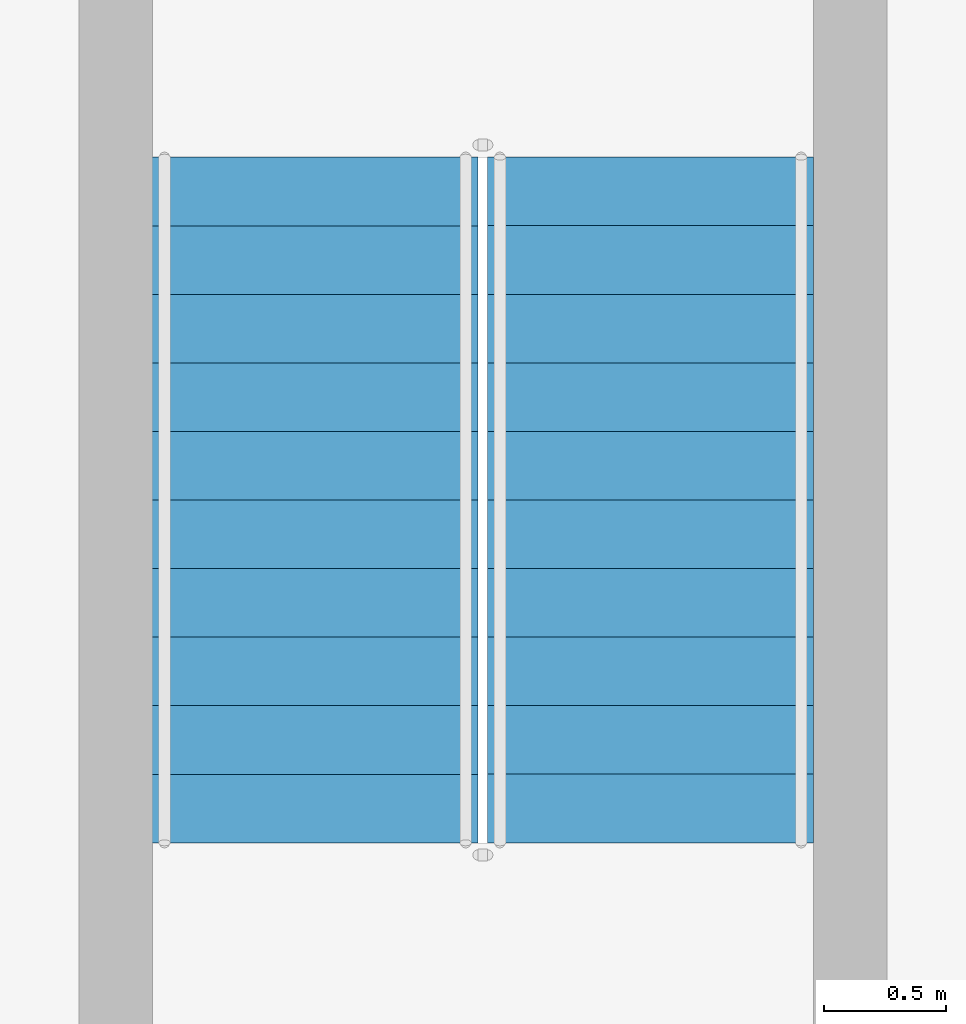
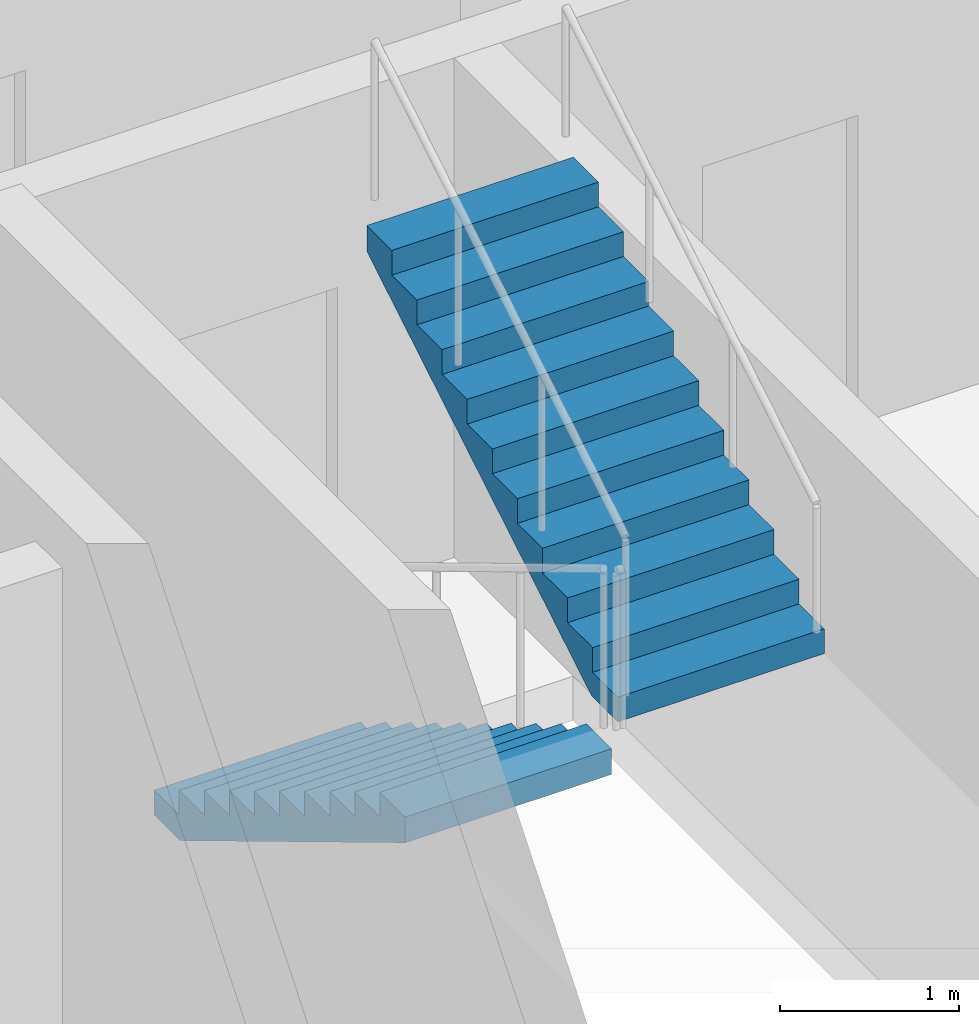
# One storey, part 23 of 30: 2 stair flights, 1 element without a shape of its own.
"""IFC4 building model written with IfcOpenShell, lengths in metres."""

from ifc_helpers import new_model, si_unit, direction, frame, origin, place, context, subcontext, project, spatial, triangles, source, transform, mapped, material, type_object, element, aggregate, save


model = new_model("IFC4")

# Units and contexts
model_context = context("Model", 3, precision=1e-05, world=origin(), true_north=direction((0.0, 1.0)))
body_context = subcontext(model_context, "Body", "Model", "MODEL_VIEW")
ifc_project = project(units=[si_unit("LENGTHUNIT", "METRE"), si_unit("AREAUNIT", "SQUARE_METRE"), si_unit("VOLUMEUNIT", "CUBIC_METRE"), si_unit("PLANEANGLEUNIT", "RADIAN"), si_unit("MASSUNIT", "GRAM", prefix="KILO")], contexts=[model_context])

# Site, building, storey
site_placement = place(None, origin())
site = spatial("IfcSite", under=ifc_project, at=site_placement, CompositionType="ELEMENT")
building_placement = place(site_placement, origin())
building = spatial("IfcBuilding", under=site, at=building_placement, Name="Ogive Portal Towers", CompositionType="ELEMENT")
storey_placement = place(building_placement, frame((0.0, 0.0, 37.199951171875)))
storey = spatial("IfcBuildingStorey", under=building, at=storey_placement, Name="L07", CompositionType="ELEMENT", Elevation=37.199951171875)

# Stair, stair flights
ifc_material = material(Name="Concrete C40/50", Category="concrete")
stair_type = type_object("IfcStairType", Name="INT-STAIR", PredefinedType="HALF_TURN_STAIR", material=ifc_material)
stair_placement = place(storey_placement, origin())
stair = element("IfcStair", 1, at=stair_placement, inside=storey, type_object=stair_type, Name="L07 Exit Stair ST-A4", PredefinedType="HALF_TURN_STAIR")
stair_flight_type = type_object("IfcStairFlightType", Name="INT-FLIGHT", PredefinedType="STRAIGHT", material=ifc_material)
shared_shape = source(origin(), body_context, "Body", "Tessellation", [
    triangles([(0.0, -0.6650390625, 0.0), (0.0, -0.384765625, 0.0), (0.0, -0.197021484375, 0.0), (0.0, -0.0830078125, 0.0), (0.0, -0.024658203125, 0.0), (0.0, -0.003173828125, 0.0), (0.0, 0.0, 0.0), (0.0, 0.003173828125, 0.0), (0.0, 0.024658203125, 0.0), (0.0, 0.0830078125, 0.0), (0.0, 0.197021484375, 0.0), (0.0, 0.384765625, 0.0), (0.0, 0.6650390625, 0.0), (0.0, -0.6650390625, 0.168212890625), (0.0, -0.384765625, 0.168212890625), (0.0, -0.197021484375, 0.168212890625), (0.0, -0.0830078125, 0.168212890625), (0.0, -0.024658203125, 0.168212890625), (0.0, -0.003173828125, 0.168212890625), (0.0, 0.0, 0.168212890625), (0.0, 0.003173828125, 0.168212890625), (0.0, 0.024658203125, 0.168212890625), (0.0, 0.0830078125, 0.168212890625), (0.0, 0.197021484375, 0.168212890625), (0.0, 0.384765625, 0.168212890625), (0.0, 0.6650390625, 0.168212890625), (0.280029296875, -0.6650390625, 0.168212890625), (0.280029296875, -0.384765625, 0.168212890625), (0.280029296875, -0.197021484375, 0.168212890625), (0.280029296875, -0.0830078125, 0.168212890625), (0.280029296875, -0.024658203125, 0.168212890625), (0.280029296875, -0.003173828125, 0.168212890625), (0.280029296875, 0.0, 0.168212890625), (0.280029296875, 0.003173828125, 0.168212890625), (0.280029296875, 0.024658203125, 0.168212890625), (0.280029296875, 0.0830078125, 0.168212890625), (0.280029296875, 0.197021484375, 0.168212890625), (0.280029296875, 0.384765625, 0.168212890625), (0.280029296875, 0.6650390625, 0.168212890625), (0.280029296875, -0.6650390625, 0.33642578125), (0.280029296875, -0.384765625, 0.33642578125), (0.280029296875, -0.197021484375, 0.33642578125), (0.280029296875, -0.0830078125, 0.33642578125), (0.280029296875, -0.024658203125, 0.33642578125), (0.280029296875, -0.003173828125, 0.33642578125), (0.280029296875, 0.0, 0.33642578125), (0.280029296875, 0.003173828125, 0.33642578125), (0.280029296875, 0.024658203125, 0.33642578125), (0.280029296875, 0.0830078125, 0.33642578125), (0.280029296875, 0.197021484375, 0.33642578125), (0.280029296875, 0.384765625, 0.33642578125), (0.280029296875, 0.6650390625, 0.33642578125), (0.56005859375, -0.6650390625, 0.33642578125), (0.56005859375, -0.384765625, 0.33642578125), (0.56005859375, -0.197021484375, 0.33642578125), (0.56005859375, -0.0830078125, 0.33642578125), (0.56005859375, -0.024658203125, 0.33642578125), (0.56005859375, -0.003173828125, 0.33642578125), (0.56005859375, 0.0, 0.33642578125), (0.56005859375, 0.003173828125, 0.33642578125), (0.56005859375, 0.024658203125, 0.33642578125), (0.56005859375, 0.0830078125, 0.33642578125), (0.56005859375, 0.197021484375, 0.33642578125), (0.56005859375, 0.384765625, 0.33642578125), (0.56005859375, 0.6650390625, 0.33642578125), (0.56005859375, -0.6650390625, 0.504638671875), (0.56005859375, -0.384765625, 0.504638671875), (0.56005859375, -0.197021484375, 0.504638671875), (0.56005859375, -0.0830078125, 0.504638671875), (0.56005859375, -0.024658203125, 0.504638671875), (0.56005859375, -0.003173828125, 0.504638671875), (0.56005859375, 0.0, 0.504638671875), (0.56005859375, 0.003173828125, 0.504638671875), (0.56005859375, 0.024658203125, 0.504638671875), (0.56005859375, 0.0830078125, 0.504638671875), (0.56005859375, 0.197021484375, 0.504638671875), (0.56005859375, 0.384765625, 0.504638671875), (0.56005859375, 0.6650390625, 0.504638671875), (0.840087890625, -0.6650390625, 0.504638671875), (0.840087890625, -0.384765625, 0.504638671875), (0.840087890625, -0.197021484375, 0.504638671875), (0.840087890625, -0.0830078125, 0.504638671875), (0.840087890625, -0.024658203125, 0.504638671875), (0.840087890625, -0.003173828125, 0.504638671875), (0.840087890625, 0.0, 0.504638671875), (0.840087890625, 0.003173828125, 0.504638671875), (0.840087890625, 0.024658203125, 0.504638671875), (0.840087890625, 0.0830078125, 0.504638671875), (0.840087890625, 0.197021484375, 0.504638671875), (0.840087890625, 0.384765625, 0.504638671875), (0.840087890625, 0.6650390625, 0.504638671875), (0.840087890625, -0.6650390625, 0.672607421875), (0.840087890625, -0.384765625, 0.672607421875), (0.840087890625, -0.197021484375, 0.672607421875), (0.840087890625, -0.0830078125, 0.672607421875), (0.840087890625, -0.024658203125, 0.672607421875), (0.840087890625, -0.003173828125, 0.672607421875), (0.840087890625, 0.0, 0.672607421875), (0.840087890625, 0.003173828125, 0.672607421875), (0.840087890625, 0.024658203125, 0.672607421875), (0.840087890625, 0.0830078125, 0.672607421875), (0.840087890625, 0.197021484375, 0.672607421875), (0.840087890625, 0.384765625, 0.672607421875), (0.840087890625, 0.6650390625, 0.672607421875), (1.1201171875, -0.6650390625, 0.672607421875), (1.1201171875, -0.384765625, 0.672607421875), (1.1201171875, -0.197021484375, 0.672607421875), (1.1201171875, -0.0830078125, 0.672607421875), (1.1201171875, -0.024658203125, 0.672607421875), (1.1201171875, -0.003173828125, 0.672607421875), (1.1201171875, 0.0, 0.672607421875), (1.1201171875, 0.003173828125, 0.672607421875), (1.1201171875, 0.024658203125, 0.672607421875), (1.1201171875, 0.0830078125, 0.672607421875), (1.1201171875, 0.197021484375, 0.672607421875), (1.1201171875, 0.384765625, 0.672607421875), (1.1201171875, 0.6650390625, 0.672607421875), (1.1201171875, -0.6650390625, 0.8408203125), (1.1201171875, -0.384765625, 0.8408203125), (1.1201171875, -0.197021484375, 0.8408203125), (1.1201171875, -0.0830078125, 0.8408203125), (1.1201171875, -0.024658203125, 0.8408203125), (1.1201171875, -0.003173828125, 0.8408203125), (1.1201171875, 0.0, 0.8408203125), (1.1201171875, 0.003173828125, 0.8408203125), (1.1201171875, 0.024658203125, 0.8408203125), (1.1201171875, 0.0830078125, 0.8408203125), (1.1201171875, 0.197021484375, 0.8408203125), (1.1201171875, 0.384765625, 0.8408203125), (1.1201171875, 0.6650390625, 0.8408203125), (1.39990234375, -0.6650390625, 0.8408203125), (1.39990234375, -0.384765625, 0.8408203125), (1.39990234375, -0.197021484375, 0.8408203125), (1.39990234375, -0.0830078125, 0.8408203125), (1.39990234375, -0.024658203125, 0.8408203125), (1.39990234375, -0.003173828125, 0.8408203125), (1.39990234375, 0.0, 0.8408203125), (1.39990234375, 0.003173828125, 0.8408203125), (1.39990234375, 0.024658203125, 0.8408203125), (1.39990234375, 0.0830078125, 0.8408203125), (1.39990234375, 0.197021484375, 0.8408203125), (1.39990234375, 0.384765625, 0.8408203125), (1.39990234375, 0.6650390625, 0.8408203125), (1.39990234375, -0.6650390625, 1.009033203125), (1.39990234375, -0.384765625, 1.009033203125), (1.39990234375, -0.197021484375, 1.009033203125), (1.39990234375, -0.0830078125, 1.009033203125), (1.39990234375, -0.024658203125, 1.009033203125), (1.39990234375, -0.003173828125, 1.009033203125), (1.39990234375, 0.0, 1.009033203125), (1.39990234375, 0.003173828125, 1.009033203125), (1.39990234375, 0.024658203125, 1.009033203125), (1.39990234375, 0.0830078125, 1.009033203125), (1.39990234375, 0.197021484375, 1.009033203125), (1.39990234375, 0.384765625, 1.009033203125), (1.39990234375, 0.6650390625, 1.009033203125), (1.679931640625, -0.6650390625, 1.009033203125), (1.679931640625, -0.384765625, 1.009033203125), (1.679931640625, -0.197021484375, 1.009033203125), (1.679931640625, -0.0830078125, 1.009033203125), (1.679931640625, -0.024658203125, 1.009033203125), (1.679931640625, -0.003173828125, 1.009033203125), (1.679931640625, 0.0, 1.009033203125), (1.679931640625, 0.003173828125, 1.009033203125), (1.679931640625, 0.024658203125, 1.009033203125), (1.679931640625, 0.0830078125, 1.009033203125), (1.679931640625, 0.197021484375, 1.009033203125), (1.679931640625, 0.384765625, 1.009033203125), (1.679931640625, 0.6650390625, 1.009033203125), (1.679931640625, -0.6650390625, 1.17724609375), (1.679931640625, -0.384765625, 1.17724609375), (1.679931640625, -0.197021484375, 1.17724609375), (1.679931640625, -0.0830078125, 1.17724609375), (1.679931640625, -0.024658203125, 1.17724609375), (1.679931640625, -0.003173828125, 1.17724609375), (1.679931640625, 0.0, 1.17724609375), (1.679931640625, 0.003173828125, 1.17724609375), (1.679931640625, 0.024658203125, 1.17724609375), (1.679931640625, 0.0830078125, 1.17724609375), (1.679931640625, 0.197021484375, 1.17724609375), (1.679931640625, 0.384765625, 1.17724609375), (1.679931640625, 0.6650390625, 1.17724609375), (1.9599609375, -0.6650390625, 1.17724609375), (1.9599609375, -0.384765625, 1.17724609375), (1.9599609375, -0.197021484375, 1.17724609375), (1.9599609375, -0.0830078125, 1.17724609375), (1.9599609375, -0.024658203125, 1.17724609375), (1.9599609375, -0.003173828125, 1.17724609375), (1.9599609375, 0.0, 1.17724609375), (1.9599609375, 0.003173828125, 1.17724609375), (1.9599609375, 0.024658203125, 1.17724609375), (1.9599609375, 0.0830078125, 1.17724609375), (1.9599609375, 0.197021484375, 1.17724609375), (1.9599609375, 0.384765625, 1.17724609375), (1.9599609375, 0.6650390625, 1.17724609375), (1.9599609375, -0.6650390625, 1.345458984375), (1.9599609375, -0.384765625, 1.345458984375), (1.9599609375, -0.197021484375, 1.345458984375), (1.9599609375, -0.0830078125, 1.345458984375), (1.9599609375, -0.024658203125, 1.345458984375), (1.9599609375, -0.003173828125, 1.345458984375), (1.9599609375, 0.0, 1.345458984375), (1.9599609375, 0.003173828125, 1.345458984375), (1.9599609375, 0.024658203125, 1.345458984375), (1.9599609375, 0.0830078125, 1.345458984375), (1.9599609375, 0.197021484375, 1.345458984375), (1.9599609375, 0.384765625, 1.345458984375), (1.9599609375, 0.6650390625, 1.345458984375), (2.239990234375, -0.6650390625, 1.345458984375), (2.239990234375, -0.384765625, 1.345458984375), (2.239990234375, -0.197021484375, 1.345458984375), (2.239990234375, -0.0830078125, 1.345458984375), (2.239990234375, -0.024658203125, 1.345458984375), (2.239990234375, -0.003173828125, 1.345458984375), (2.239990234375, 0.0, 1.345458984375), (2.239990234375, 0.003173828125, 1.345458984375), (2.239990234375, 0.024658203125, 1.345458984375), (2.239990234375, 0.0830078125, 1.345458984375), (2.239990234375, 0.197021484375, 1.345458984375), (2.239990234375, 0.384765625, 1.345458984375), (2.239990234375, 0.6650390625, 1.345458984375), (2.239990234375, -0.6650390625, 1.513671875), (2.239990234375, -0.384765625, 1.513671875), (2.239990234375, -0.197021484375, 1.513671875), (2.239990234375, -0.0830078125, 1.513671875), (2.239990234375, -0.024658203125, 1.513671875), (2.239990234375, -0.003173828125, 1.513671875), (2.239990234375, 0.0, 1.513671875), (2.239990234375, 0.003173828125, 1.513671875), (2.239990234375, 0.024658203125, 1.513671875), (2.239990234375, 0.0830078125, 1.513671875), (2.239990234375, 0.197021484375, 1.513671875), (2.239990234375, 0.384765625, 1.513671875), (2.239990234375, 0.6650390625, 1.513671875), (2.52001953125, -0.6650390625, 1.513671875), (2.52001953125, -0.384765625, 1.513671875), (2.52001953125, -0.197021484375, 1.513671875), (2.52001953125, -0.0830078125, 1.513671875), (2.52001953125, -0.024658203125, 1.513671875), (2.52001953125, -0.003173828125, 1.513671875), (2.52001953125, 0.0, 1.513671875), (2.52001953125, 0.003173828125, 1.513671875), (2.52001953125, 0.024658203125, 1.513671875), (2.52001953125, 0.0830078125, 1.513671875), (2.52001953125, 0.197021484375, 1.513671875), (2.52001953125, 0.384765625, 1.513671875), (2.52001953125, 0.6650390625, 1.513671875), (2.52001953125, -0.6650390625, 1.681884765625), (2.52001953125, -0.384765625, 1.681884765625), (2.52001953125, -0.197021484375, 1.681884765625), (2.52001953125, -0.0830078125, 1.681884765625), (2.52001953125, -0.024658203125, 1.681884765625), (2.52001953125, -0.003173828125, 1.681884765625), (2.52001953125, 0.0, 1.681884765625), (2.52001953125, 0.003173828125, 1.681884765625), (2.52001953125, 0.024658203125, 1.681884765625), (2.52001953125, 0.0830078125, 1.681884765625), (2.52001953125, 0.197021484375, 1.681884765625), (2.52001953125, 0.384765625, 1.681884765625), (2.52001953125, 0.6650390625, 1.681884765625), (2.800048828125, -0.6650390625, 1.681884765625), (2.800048828125, -0.384765625, 1.681884765625), (2.800048828125, -0.197021484375, 1.681884765625), (2.800048828125, -0.0830078125, 1.681884765625), (2.800048828125, -0.024658203125, 1.681884765625), (2.800048828125, -0.003173828125, 1.681884765625), (2.800048828125, 0.0, 1.681884765625), (2.800048828125, 0.003173828125, 1.681884765625), (2.800048828125, 0.024658203125, 1.681884765625), (2.800048828125, 0.0830078125, 1.681884765625), (2.800048828125, 0.197021484375, 1.681884765625), (2.800048828125, 0.384765625, 1.681884765625), (2.800048828125, 0.6650390625, 1.681884765625), (2.800048828125, -0.6650390625, 1.5068359375), (2.800048828125, -0.384765625, 1.5068359375), (2.800048828125, -0.197021484375, 1.5068359375), (2.800048828125, -0.0830078125, 1.5068359375), (2.800048828125, -0.024658203125, 1.5068359375), (2.800048828125, -0.003173828125, 1.5068359375), (2.800048828125, 0.0, 1.5068359375), (2.800048828125, 0.003173828125, 1.5068359375), (2.800048828125, 0.024658203125, 1.5068359375), (2.800048828125, 0.0830078125, 1.5068359375), (2.800048828125, 0.197021484375, 1.5068359375), (2.800048828125, 0.384765625, 1.5068359375), (2.800048828125, 0.6650390625, 1.5068359375), (0.291015625, -0.6650390625, 0.0), (0.291015625, -0.384765625, 0.0), (0.291015625, -0.197021484375, 0.0), (0.291015625, -0.0830078125, 0.0), (0.291015625, -0.024658203125, 0.0), (0.291015625, -0.003173828125, 0.0), (0.291015625, 0.0, 0.0), (0.291015625, 0.003173828125, 0.0), (0.291015625, 0.024658203125, 0.0), (0.291015625, 0.0830078125, 0.0), (0.291015625, 0.197021484375, 0.0), (0.291015625, 0.384765625, 0.0), (0.291015625, 0.6650390625, 0.0)], [[1, 14, 15], [1, 15, 2], [2, 15, 16], [2, 16, 3], [3, 16, 17], [3, 17, 4], [4, 17, 18], [4, 18, 5], [5, 18, 19], [5, 19, 6], [6, 19, 20], [6, 20, 7], [7, 20, 21], [7, 21, 8], [8, 21, 22], [8, 22, 9], [9, 22, 23], [9, 23, 10], [10, 23, 24], [10, 24, 11], [11, 24, 25], [11, 25, 12], [12, 25, 26], [12, 26, 13], [14, 27, 28], [14, 28, 15], [15, 28, 29], [15, 29, 16], [16, 29, 30], [16, 30, 17], [17, 30, 31], [17, 31, 18], [18, 31, 32], [18, 32, 19], [19, 32, 33], [19, 33, 20], [20, 33, 34], [20, 34, 21], [21, 34, 35], [21, 35, 22], [22, 35, 36], [22, 36, 23], [23, 36, 37], [23, 37, 24], [24, 37, 38], [24, 38, 25], [25, 38, 39], [25, 39, 26], [27, 40, 41], [27, 41, 28], [28, 41, 42], [28, 42, 29], [29, 42, 43], [29, 43, 30], [30, 43, 44], [30, 44, 31], [31, 44, 45], [31, 45, 32], [32, 45, 46], [32, 46, 33], [33, 46, 47], [33, 47, 34], [34, 47, 48], [34, 48, 35], [35, 48, 49], [35, 49, 36], [36, 49, 50], [36, 50, 37], [37, 50, 51], [37, 51, 38], [38, 51, 52], [38, 52, 39], [40, 53, 54], [40, 54, 41], [41, 54, 55], [41, 55, 42], [42, 55, 56], [42, 56, 43], [43, 56, 57], [43, 57, 44], [44, 57, 58], [44, 58, 45], [45, 58, 59], [45, 59, 46], [46, 59, 60], [46, 60, 47], [47, 60, 61], [47, 61, 48], [48, 61, 62], [48, 62, 49], [49, 62, 63], [49, 63, 50], [50, 63, 64], [50, 64, 51], [51, 64, 65], [51, 65, 52], [53, 66, 67], [53, 67, 54], [54, 67, 68], [54, 68, 55], [55, 68, 69], [55, 69, 56], [56, 69, 70], [56, 70, 57], [57, 70, 71], [57, 71, 58], [58, 71, 72], [58, 72, 59], [59, 72, 73], [59, 73, 60], [60, 73, 74], [60, 74, 61], [61, 74, 75], [61, 75, 62], [62, 75, 76], [62, 76, 63], [63, 76, 77], [63, 77, 64], [64, 77, 78], [64, 78, 65], [66, 79, 80], [66, 80, 67], [67, 80, 81], [67, 81, 68], [68, 81, 82], [68, 82, 69], [69, 82, 83], [69, 83, 70], [70, 83, 84], [70, 84, 71], [71, 84, 85], [71, 85, 72], [72, 85, 86], [72, 86, 73], [73, 86, 87], [73, 87, 74], [74, 87, 88], [74, 88, 75], [75, 88, 89], [75, 89, 76], [76, 89, 90], [76, 90, 77], [77, 90, 91], [77, 91, 78], [79, 92, 93], [79, 93, 80], [80, 93, 94], [80, 94, 81], [81, 94, 95], [81, 95, 82], [82, 95, 96], [82, 96, 83], [83, 96, 97], [83, 97, 84], [84, 97, 98], [84, 98, 85], [85, 98, 99], [85, 99, 86], [86, 99, 100], [86, 100, 87], [87, 100, 101], [87, 101, 88], [88, 101, 102], [88, 102, 89], [89, 102, 103], [89, 103, 90], [90, 103, 104], [90, 104, 91], [92, 105, 106], [92, 106, 93], [93, 106, 107], [93, 107, 94], [94, 107, 108], [94, 108, 95], [95, 108, 109], [95, 109, 96], [96, 109, 110], [96, 110, 97], [97, 110, 111], [97, 111, 98], [98, 111, 112], [98, 112, 99], [99, 112, 113], [99, 113, 100], [100, 113, 114], [100, 114, 101], [101, 114, 115], [101, 115, 102], [102, 115, 116], [102, 116, 103], [103, 116, 117], [103, 117, 104], [105, 118, 119], [105, 119, 106], [106, 119, 120], [106, 120, 107], [107, 120, 121], [107, 121, 108], [108, 121, 122], [108, 122, 109], [109, 122, 123], [109, 123, 110], [110, 123, 124], [110, 124, 111], [111, 124, 125], [111, 125, 112], [112, 125, 126], [112, 126, 113], [113, 126, 127], [113, 127, 114], [114, 127, 128], [114, 128, 115], [115, 128, 129], [115, 129, 116], [116, 129, 130], [116, 130, 117], [118, 131, 132], [118, 132, 119], [119, 132, 133], [119, 133, 120], [120, 133, 134], [120, 134, 121], [121, 134, 135], [121, 135, 122], [122, 135, 136], [122, 136, 123], [123, 136, 137], [123, 137, 124], [124, 137, 138], [124, 138, 125], [125, 138, 139], [125, 139, 126], [126, 139, 140], [126, 140, 127], [127, 140, 141], [127, 141, 128], [128, 141, 142], [128, 142, 129], [129, 142, 143], [129, 143, 130], [131, 144, 145], [131, 145, 132], [132, 145, 146], [132, 146, 133], [133, 146, 147], [133, 147, 134], [134, 147, 148], [134, 148, 135], [135, 148, 149], [135, 149, 136], [136, 149, 150], [136, 150, 137], [137, 150, 151], [137, 151, 138], [138, 151, 152], [138, 152, 139], [139, 152, 153], [139, 153, 140], [140, 153, 154], [140, 154, 141], [141, 154, 155], [141, 155, 142], [142, 155, 156], [142, 156, 143], [144, 157, 158], [144, 158, 145], [145, 158, 159], [145, 159, 146], [146, 159, 160], [146, 160, 147], [147, 160, 161], [147, 161, 148], [148, 161, 162], [148, 162, 149], [149, 162, 163], [149, 163, 150], [150, 163, 164], [150, 164, 151], [151, 164, 165], [151, 165, 152], [152, 165, 166], [152, 166, 153], [153, 166, 167], [153, 167, 154], [154, 167, 168], [154, 168, 155], [155, 168, 169], [155, 169, 156], [157, 170, 171], [157, 171, 158], [158, 171, 172], [158, 172, 159], [159, 172, 173], [159, 173, 160], [160, 173, 174], [160, 174, 161], [161, 174, 175], [161, 175, 162], [162, 175, 176], [162, 176, 163], [163, 176, 177], [163, 177, 164], [164, 177, 178], [164, 178, 165], [165, 178, 179], [165, 179, 166], [166, 179, 180], [166, 180, 167], [167, 180, 181], [167, 181, 168], [168, 181, 182], [168, 182, 169], [170, 183, 184], [170, 184, 171], [171, 184, 185], [171, 185, 172], [172, 185, 186], [172, 186, 173], [173, 186, 187], [173, 187, 174], [174, 187, 188], [174, 188, 175], [175, 188, 189], [175, 189, 176], [176, 189, 190], [176, 190, 177], [177, 190, 191], [177, 191, 178], [178, 191, 192], [178, 192, 179], [179, 192, 193], [179, 193, 180], [180, 193, 194], [180, 194, 181], [181, 194, 195], [181, 195, 182], [183, 196, 197], [183, 197, 184], [184, 197, 198], [184, 198, 185], [185, 198, 199], [185, 199, 186], [186, 199, 200], [186, 200, 187], [187, 200, 201], [187, 201, 188], [188, 201, 202], [188, 202, 189], [189, 202, 203], [189, 203, 190], [190, 203, 204], [190, 204, 191], [191, 204, 205], [191, 205, 192], [192, 205, 206], [192, 206, 193], [193, 206, 207], [193, 207, 194], [194, 207, 208], [194, 208, 195], [196, 209, 210], [196, 210, 197], [197, 210, 211], [197, 211, 198], [198, 211, 212], [198, 212, 199], [199, 212, 213], [199, 213, 200], [200, 213, 214], [200, 214, 201], [201, 214, 215], [201, 215, 202], [202, 215, 216], [202, 216, 203], [203, 216, 217], [203, 217, 204], [204, 217, 218], [204, 218, 205], [205, 218, 219], [205, 219, 206], [206, 219, 220], [206, 220, 207], [207, 220, 221], [207, 221, 208], [209, 222, 223], [209, 223, 210], [210, 223, 224], [210, 224, 211], [211, 224, 225], [211, 225, 212], [212, 225, 226], [212, 226, 213], [213, 226, 227], [213, 227, 214], [214, 227, 228], [214, 228, 215], [215, 228, 229], [215, 229, 216], [216, 229, 230], [216, 230, 217], [217, 230, 231], [217, 231, 218], [218, 231, 232], [218, 232, 219], [219, 232, 233], [219, 233, 220], [220, 233, 234], [220, 234, 221], [222, 235, 236], [222, 236, 223], [223, 236, 237], [223, 237, 224], [224, 237, 238], [224, 238, 225], [225, 238, 239], [225, 239, 226], [226, 239, 240], [226, 240, 227], [227, 240, 241], [227, 241, 228], [228, 241, 242], [228, 242, 229], [229, 242, 243], [229, 243, 230], [230, 243, 244], [230, 244, 231], [231, 244, 245], [231, 245, 232], [232, 245, 246], [232, 246, 233], [233, 246, 247], [233, 247, 234], [235, 248, 249], [235, 249, 236], [236, 249, 250], [236, 250, 237], [237, 250, 251], [237, 251, 238], [238, 251, 252], [238, 252, 239], [239, 252, 253], [239, 253, 240], [240, 253, 254], [240, 254, 241], [241, 254, 255], [241, 255, 242], [242, 255, 256], [242, 256, 243], [243, 256, 257], [243, 257, 244], [244, 257, 258], [244, 258, 245], [245, 258, 259], [245, 259, 246], [246, 259, 260], [246, 260, 247], [248, 261, 262], [248, 262, 249], [249, 262, 263], [249, 263, 250], [250, 263, 264], [250, 264, 251], [251, 264, 265], [251, 265, 252], [252, 265, 266], [252, 266, 253], [253, 266, 267], [253, 267, 254], [254, 267, 268], [254, 268, 255], [255, 268, 269], [255, 269, 256], [256, 269, 270], [256, 270, 257], [257, 270, 271], [257, 271, 258], [258, 271, 272], [258, 272, 259], [259, 272, 273], [259, 273, 260], [261, 274, 275], [261, 275, 262], [262, 275, 276], [262, 276, 263], [263, 276, 277], [263, 277, 264], [264, 277, 278], [264, 278, 265], [265, 278, 279], [265, 279, 266], [266, 279, 280], [266, 280, 267], [267, 280, 281], [267, 281, 268], [268, 281, 282], [268, 282, 269], [269, 282, 283], [269, 283, 270], [270, 283, 284], [270, 284, 271], [271, 284, 285], [271, 285, 272], [272, 285, 286], [272, 286, 273], [274, 287, 288], [274, 288, 275], [275, 288, 289], [275, 289, 276], [276, 289, 290], [276, 290, 277], [277, 290, 291], [277, 291, 278], [278, 291, 292], [278, 292, 279], [279, 292, 293], [279, 293, 280], [280, 293, 294], [280, 294, 281], [281, 294, 295], [281, 295, 282], [282, 295, 296], [282, 296, 283], [283, 296, 297], [283, 297, 284], [284, 297, 298], [284, 298, 285], [285, 298, 299], [285, 299, 286], [287, 1, 2], [287, 2, 288], [288, 2, 3], [288, 3, 289], [289, 3, 4], [289, 4, 290], [290, 4, 5], [290, 5, 291], [291, 5, 6], [291, 6, 292], [292, 6, 7], [292, 7, 293], [293, 7, 8], [293, 8, 294], [294, 8, 9], [294, 9, 295], [295, 9, 10], [295, 10, 296], [296, 10, 11], [296, 11, 297], [297, 11, 12], [297, 12, 298], [298, 12, 13], [298, 13, 299], [1, 287, 274], [13, 286, 299], [274, 261, 248], [286, 260, 273], [274, 248, 235], [286, 247, 260], [274, 235, 222], [286, 234, 247], [274, 222, 209], [286, 221, 234], [209, 196, 183], [221, 195, 208], [274, 209, 183], [286, 195, 221], [183, 170, 157], [195, 169, 182], [274, 183, 157], [286, 169, 195], [157, 144, 131], [169, 143, 156], [274, 157, 131], [286, 143, 169], [131, 118, 105], [143, 117, 130], [274, 131, 105], [286, 117, 143], [1, 274, 105], [13, 117, 286], [105, 92, 79], [117, 91, 104], [79, 66, 53], [91, 65, 78], [105, 79, 53], [117, 65, 91], [53, 40, 27], [65, 39, 52], [105, 53, 27], [117, 39, 65], [1, 105, 27], [13, 39, 117], [27, 14, 1], [39, 13, 26]], closed=True),
])
stair_flight_1_placement = place(storey_placement, frame((87.6650390625, 29.169921875, 0.0), z_axis=(0.0, 0.0, 1.0), x_axis=(0.0, -1.0, 0.0)))
stair_flight_1 = element("IfcStairFlight", 2, at=stair_flight_1_placement, type_object=stair_flight_type, Name="ST-A4 flight 1", NumberOfRisers=11, NumberOfTreads=10, PredefinedType="STRAIGHT", RiserHeight=0.168181818, TreadLength=0.28, context=body_context, shape_type="MappedRepresentation", body=[
    mapped(shared_shape, transform((0.0, 0.0, 0.0), scale=1.0)),
])
stair_flight_2_placement = place(storey_placement, frame((89.034912109375, 26.3701171875, 1.85009765625), z_axis=(0.0, 0.0, 1.0), x_axis=(0.0, 1.0, 0.0)))
stair_flight_2 = element("IfcStairFlight", 3, at=stair_flight_2_placement, type_object=stair_flight_type, Name="ST-A4 flight 2", NumberOfRisers=11, NumberOfTreads=10, PredefinedType="STRAIGHT", RiserHeight=0.168181818, TreadLength=0.28, context=body_context, shape_type="MappedRepresentation", body=[
    mapped(shared_shape, transform((0.0, 0.0, 0.0), scale=1.0)),
])
aggregate(stair, [stair_flight_1, stair_flight_2])

save(model, "model.ifc")
